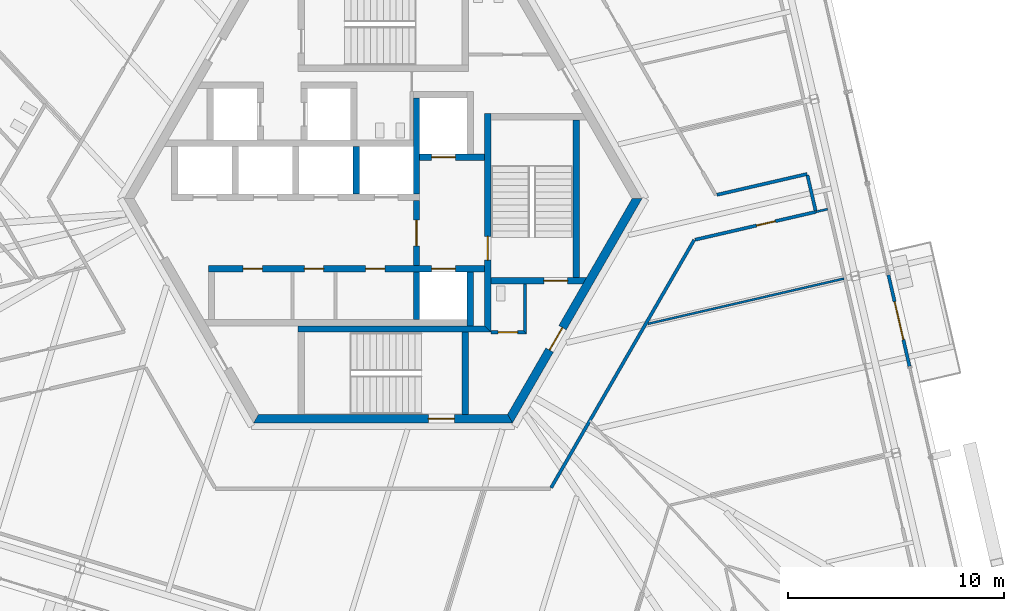
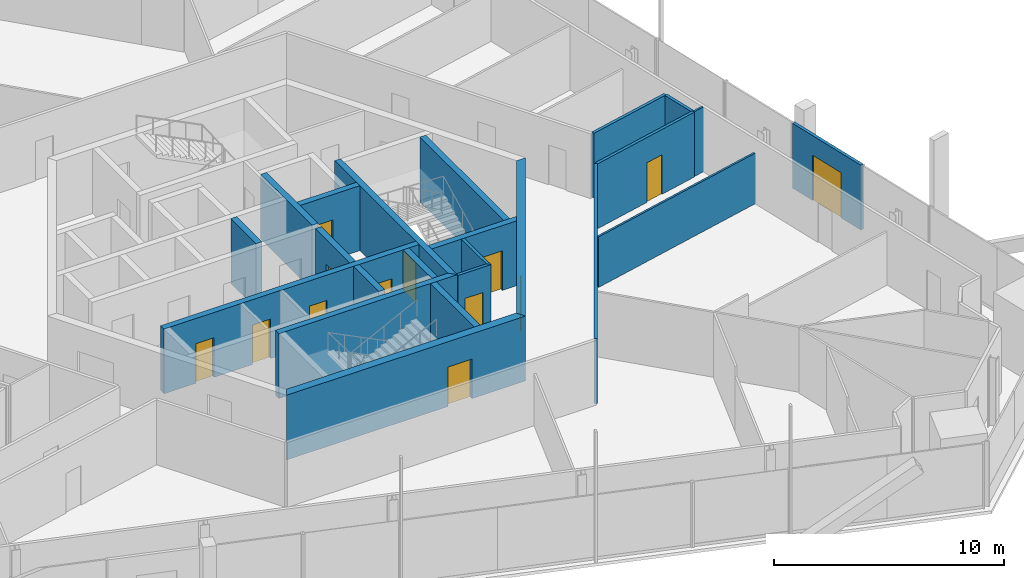
# One storey, part 14 of 24: 23 walls, 13 doors, 13 openings.
"""IFC4 building model written with IfcOpenShell, lengths in metres."""

from ifc_helpers import new_model, si_unit, direction, frame, frame_2d, origin, place, context, subcontext, project, spatial, polyline, rectangle, outline, extrude, source, transform, mapped, material, layer, layer_set, type_object, element, fill, save


model = new_model("IFC4")

# Units and contexts
model_context = context("Model", 3, precision=1e-05, world=origin(), true_north=direction((0.0, 1.0)))
body_context = subcontext(model_context, "Body", "Model", "MODEL_VIEW")
ifc_project = project(units=[si_unit("LENGTHUNIT", "METRE"), si_unit("AREAUNIT", "SQUARE_METRE"), si_unit("VOLUMEUNIT", "CUBIC_METRE"), si_unit("PLANEANGLEUNIT", "RADIAN"), si_unit("MASSUNIT", "GRAM", prefix="KILO")], contexts=[model_context])

# Site, building, storey
site_placement = place(None, origin())
site = spatial("IfcSite", under=ifc_project, at=site_placement, CompositionType="ELEMENT")
building_placement = place(site_placement, origin())
building = spatial("IfcBuilding", under=site, at=building_placement, Name="Triune Harvest Tower", CompositionType="ELEMENT")
storey_placement = place(building_placement, frame((0.0, 0.0, 127.10009765625)))
storey = spatial("IfcBuildingStorey", under=building, at=storey_placement, Name="L32", CompositionType="ELEMENT", Elevation=127.10009765625)

# Wall
ifc_material_1 = material(Name="Gypsum board on steel studs", Category="steel")
ifc_layer_1 = layer(ifc_material_1, 0.14990234375)
ifc_layer_set_1 = layer_set([ifc_layer_1], Name="Gypsum board on steel studs")
wall_type_1 = type_object("IfcWallType", Name="Fire Partition 150 mm", PredefinedType="PARTITIONING", material=ifc_layer_set_1)
wall_1_placement = place(storey_placement, frame((19.66552734375, 1.08447265625, 0.0), z_axis=(0.0, 0.0, 1.0), x_axis=(0.225092983946, -0.974337286867, 0.0)))
element("IfcWall", 1, at=wall_1_placement, inside=storey, type_object=wall_type_1, Name="Partition L32 006", PredefinedType="PARTITIONING", context=body_context, shape_type="SweptSolid", body=[
    extrude(rectangle(XDim=1.68017578125, YDim=0.14990234375, at=frame_2d((0.840087890625, 0.0))), origin(), (0.0, 0.0, 1.0), 3.43994140625),
])

# Wall, opening, door
wall_2_placement = place(storey_placement, frame((14.456298828125, -1.90380859375, 0.0), z_axis=(0.0, 0.0, 1.0), x_axis=(0.974371147551, 0.224946364317, 0.0)))
wall_2 = element("IfcWall", 2, at=wall_2_placement, inside=storey, type_object=wall_type_1, Name="Partition L32 040", PredefinedType="PARTITIONING", context=body_context, shape_type="SweptSolid", body=[
    extrude(rectangle(XDim=5.747802734375, YDim=0.14990234375, at=frame_2d((2.8740234375, 0.0))), origin(), (0.0, 0.0, 1.0), 3.43994140625),
])
opening_1_placement = place(wall_2_placement, frame((2.925048828125, 0.0, 0.0)))
opening_1 = element("IfcOpeningElement", 3, at=opening_1_placement, cuts=wall_2, Name="Opening L32-003", PredefinedType="OPENING", context=body_context, shape_type="SweptSolid", body=[
    extrude(rectangle(XDim=0.89990234375, YDim=2.10009765625, at=frame_2d((0.449951171875, 1.050048828125))), frame((0.0, 0.0849609375, 0.0), z_axis=(0.0, -1.0, 0.0), x_axis=(1.0, 0.0, 0.0)), (0.0, 0.0, 1.0), 0.169921875),
])
ifc_material_2 = material(Name="Timber and steel door set", Category="steel")
door_type_1 = type_object("IfcDoorType", Name="Single leaf door FD30 left hand 900 x 2100", OperationType="SINGLE_SWING_LEFT", PredefinedType="DOOR", material=ifc_material_2)
door_1_placement = place(opening_1_placement, origin())
door_1 = element("IfcDoor", 4, at=door_1_placement, inside=storey, type_object=door_type_1, Name="Door L32-003 Office 32.03", OperationType="SINGLE_SWING_LEFT", OverallHeight=2.10009765625, OverallWidth=0.89990234375, PredefinedType="DOOR", context=body_context, shape_type="SweptSolid", body=[
    extrude(rectangle(XDim=0.89990234375, YDim=2.10009765625, at=frame_2d((0.449951171875, 1.050048828125))), frame((0.0, 0.02490234375, 0.0), z_axis=(0.0, -1.0, 0.0), x_axis=(1.0, 0.0, 0.0)), (0.0, 0.0, 1.0), 0.050048828125),
])
fill(opening_1, door_1)

# Walls
wall_3_placement = place(storey_placement, frame((15.47412109375, 0.17822265625, 0.0), z_axis=(0.0, 0.0, 1.0), x_axis=(0.974368159762, 0.224959305745, 0.0)))
element("IfcWall", 5, at=wall_3_placement, inside=storey, type_object=wall_type_1, Name="Partition L32 043", PredefinedType="PARTITIONING", context=body_context, shape_type="SweptSolid", body=[
    extrude(rectangle(XDim=4.287841796875, YDim=0.14990234375, at=frame_2d((2.14404296875, 0.0))), origin(), (0.0, 0.0, 1.0), 3.43994140625),
])
wall_4_placement = place(storey_placement, frame((7.785888671875, -13.399169921875, 0.0), z_axis=(0.0, 0.0, 1.0), x_axis=(0.499991742513, 0.866030171195, 0.0)))
element("IfcWall", 6, at=wall_4_placement, inside=storey, type_object=wall_type_1, Name="Partition L32 062", PredefinedType="PARTITIONING", context=body_context, shape_type="SweptSolid", body=[
    extrude(rectangle(XDim=13.262939453125, YDim=0.14990234375, at=frame_2d((6.63134765625, 0.0))), origin(), (0.0, 0.0, 1.0), 3.43994140625),
])
ifc_material_3 = material(Name="Gypsum board on steel studs", Category="steel")
ifc_layer_2 = layer(ifc_material_3, 0.10009765625)
ifc_layer_set_2 = layer_set([ifc_layer_2], Name="Gypsum board on steel studs")
wall_type_2 = type_object("IfcWallType", Name="Partition 100 mm", PredefinedType="PARTITIONING", material=ifc_layer_set_2)
wall_5_placement = place(storey_placement, frame((12.273193359375, -5.80224609375, 0.0), z_axis=(0.0, 0.0, 1.0), x_axis=(0.974370442796, 0.224949416993, 0.0)))
element("IfcWall", 7, at=wall_5_placement, inside=storey, type_object=wall_type_2, Name="Partition L32 038", PredefinedType="PARTITIONING", context=body_context, shape_type="SweptSolid", body=[
    extrude(rectangle(XDim=9.320556640625, YDim=0.10009765625, at=frame_2d((4.66015625, 0.0))), origin(), (0.0, 0.0, 1.0), 2.682861328125),
])
wall_6_placement = place(storey_placement, frame((20.058349609375, -0.610595703125, 0.0), z_axis=(0.0, 0.0, 1.0), x_axis=(0.974361678183, 0.224987377622, 0.0)))
element("IfcWall", 8, at=wall_6_placement, inside=storey, type_object=wall_type_2, Name="Partition L32 041", PredefinedType="PARTITIONING", context=body_context, shape_type="SweptSolid", body=[
    extrude(rectangle(XDim=0.557861328125, YDim=0.10009765625, at=frame_2d((0.27880859375, 0.0))), origin(), (0.0, 0.0, 1.0), 3.43994140625),
])

# Wall, opening, door
ifc_material_4 = material(Name="Concrete 70 MPa", Category="concrete")
ifc_layer_3 = layer(ifc_material_4, 0.39990234375)
ifc_layer_set_3 = layer_set([ifc_layer_3], Name="Concrete 70 MPa")
wall_type_3 = type_object("IfcWallType", Name="Core wall 400", PredefinedType="SHEAR", material=ifc_layer_set_3)
shared_shape_1 = source(origin(), body_context, "Body", "SweptSolid", [
    extrude(outline(polyline([(-0.115478515625, -0.199951171875), (11.884521484375, -0.199951171875), (11.653564453125, 0.199951171875), (0.115478515625, 0.199951171875), (-0.115478515625, -0.199951171875)])), origin(), (0.0, 0.0, 1.0), 3.43994140625),
])
wall_7_placement = place(storey_placement, frame((-5.884521484375, -10.1923828125, 0.0), z_axis=(0.0, 0.0, 1.0), x_axis=(1.0, 0.0, 0.0)))
wall_7 = element("IfcWall", 9, at=wall_7_placement, inside=storey, type_object=wall_type_3, Name="Hexagon 4 wall", PredefinedType="SHEAR", context=body_context, shape_type="MappedRepresentation", body=[
    mapped(shared_shape_1, transform((0.0, 0.0, 0.0), scale=1.0)),
])
opening_2_placement = place(wall_7_placement, frame((7.984619140625, 0.0, 0.0)))
opening_2 = element("IfcOpeningElement", 10, at=opening_2_placement, cuts=wall_7, Name="Opening CD-S2P", PredefinedType="OPENING", context=body_context, shape_type="SweptSolid", body=[
    extrude(rectangle(XDim=1.199951171875, YDim=2.10009765625, at=frame_2d((0.60009765625, 1.050048828125))), frame((0.0, 0.2099609375, 0.0), z_axis=(0.0, -1.0, 0.0), x_axis=(1.0, 0.0, 0.0)), (0.0, 0.0, 1.0), 0.419921875),
])
ifc_material_5 = material(Name="Steel S235", Category="steel")
door_type_2 = type_object("IfcDoorType", Name="Stair door 1200 FD120", OperationType="SINGLE_SWING_LEFT", PredefinedType="DOOR", material=ifc_material_5)
door_2_placement = place(opening_2_placement, frame((1.199951171875, 0.0, 0.0), z_axis=(0.0, 0.0, 1.0), x_axis=(-1.0, 0.0, 0.0)))
door_2 = element("IfcDoor", 11, at=door_2_placement, inside=storey, type_object=door_type_2, Name="Door CD-S2P", OperationType="SINGLE_SWING_RIGHT", OverallHeight=2.10009765625, OverallWidth=1.199951171875, PredefinedType="DOOR", context=body_context, shape_type="SweptSolid", body=[
    extrude(rectangle(XDim=1.199951171875, YDim=2.10009765625, at=frame_2d((0.60009765625, 1.050048828125))), frame((0.0, 0.02490234375, 0.0), z_axis=(0.0, -1.0, 0.0), x_axis=(1.0, 0.0, 0.0)), (0.0, 0.0, 1.0), 0.050048828125),
])
fill(opening_2, door_2)

wall_8_placement = place(storey_placement, frame((5.884521484375, -10.1923828125, 0.0), z_axis=(0.0, 0.0, 1.0), x_axis=(0.499996592174, 0.866027371285, 0.0)))
wall_8 = element("IfcWall", 12, at=wall_8_placement, inside=storey, type_object=wall_type_3, Name="Hexagon 5 wall", PredefinedType="SHEAR", context=body_context, shape_type="MappedRepresentation", body=[
    mapped(shared_shape_1, transform((0.0, 0.0, 0.0), scale=1.0)),
])
opening_3_placement = place(wall_8_placement, frame((3.66455078125, 0.0, 0.0)))
opening_3 = element("IfcOpeningElement", 13, at=opening_3_placement, cuts=wall_8, Name="Opening CD-DP", PredefinedType="OPENING", context=body_context, shape_type="SweptSolid", body=[
    extrude(rectangle(XDim=1.199951171875, YDim=2.10009765625, at=frame_2d((0.60009765625, 1.050048828125))), frame((0.0, 0.2099609375, 0.0), z_axis=(0.0, -1.0, 0.0), x_axis=(1.0, 0.0, 0.0)), (0.0, 0.0, 1.0), 0.419921875),
])
door_3_placement = place(opening_3_placement, frame((1.199951171875, 0.0, 0.0), z_axis=(0.0, 0.0, 1.0), x_axis=(-1.0, 0.0, 0.0)))
door_3 = element("IfcDoor", 14, at=door_3_placement, inside=storey, type_object=door_type_2, Name="Door CD-DP", OperationType="SINGLE_SWING_RIGHT", OverallHeight=2.10009765625, OverallWidth=1.199951171875, PredefinedType="DOOR", context=body_context, shape_type="SweptSolid", body=[
    extrude(rectangle(XDim=1.199951171875, YDim=2.10009765625, at=frame_2d((0.60009765625, 1.050048828125))), frame((0.0, 0.02490234375, 0.0), z_axis=(0.0, -1.0, 0.0), x_axis=(1.0, 0.0, 0.0)), (0.0, 0.0, 1.0), 0.050048828125),
])
fill(opening_3, door_3)

# Walls
ifc_material_6 = material(Name="Concrete 70 MPa", Category="concrete")
ifc_layer_4 = layer(ifc_material_6, 0.300048828125)
ifc_layer_set_4 = layer_set([ifc_layer_4], Name="Concrete 70 MPa")
wall_type_4 = type_object("IfcWallType", Name="Core wall 300", PredefinedType="SHEAR", material=ifc_layer_set_4)
shared_shape_2 = source(origin(), body_context, "Body", "SweptSolid", [
    extrude(rectangle(XDim=2.5, YDim=0.300048828125, at=frame_2d((1.25, 0.0))), origin(), (0.0, 0.0, 1.0), 3.43994140625),
])
wall_9_placement = place(storey_placement, frame((4.050048828125, -5.889892578125, 0.0), z_axis=(0.0, 0.0, 1.0), x_axis=(0.0, 1.0, 0.0)))
element("IfcWall", 15, at=wall_9_placement, inside=storey, type_object=wall_type_4, Name="Ff2 east wall", PredefinedType="SHEAR", context=body_context, shape_type="MappedRepresentation", body=[
    mapped(shared_shape_2, transform((0.0, 0.0, 0.0), scale=1.0)),
])
shared_shape_3 = source(origin(), body_context, "Body", "SweptSolid", [
    extrude(rectangle(XDim=4.449951171875, YDim=0.300048828125, at=frame_2d((2.22509765625, 0.0))), origin(), (0.0, 0.0, 1.0), 3.43994140625),
])
wall_10_placement = place(storey_placement, frame((1.550048828125, 0.2099609375, 0.0), z_axis=(0.0, 0.0, 1.0), x_axis=(0.0, 1.0, 0.0)))
element("IfcWall", 16, at=wall_10_placement, inside=storey, type_object=wall_type_4, Name="Ff1 west wall", PredefinedType="SHEAR", context=body_context, shape_type="MappedRepresentation", body=[
    mapped(shared_shape_3, transform((0.0, 0.0, 0.0), scale=1.0)),
])

# Wall, opening, door
shared_shape_4 = source(origin(), body_context, "Body", "SweptSolid", [
    extrude(rectangle(XDim=3.0, YDim=0.300048828125, at=frame_2d((1.5, 0.0))), origin(), (0.0, 0.0, 1.0), 3.43994140625),
])
wall_11_placement = place(storey_placement, frame((1.699951171875, 1.909912109375, 0.0), z_axis=(0.0, 0.0, 1.0), x_axis=(1.0, 0.0, 0.0)))
wall_11 = element("IfcWall", 17, at=wall_11_placement, inside=storey, type_object=wall_type_4, Name="Ff1 front wall", PredefinedType="SHEAR", context=body_context, shape_type="MappedRepresentation", body=[
    mapped(shared_shape_4, transform((0.0, 0.0, 0.0), scale=1.0)),
])
opening_4_placement = place(wall_11_placement, frame((0.550048828125, 0.0, 0.0)))
opening_4 = element("IfcOpeningElement", 18, at=opening_4_placement, cuts=wall_11, Name="Opening LD-FF1-32", PredefinedType="OPENING", context=body_context, shape_type="SweptSolid", body=[
    extrude(rectangle(XDim=1.10009765625, YDim=2.10009765625, at=frame_2d((0.550048828125, 1.050048828125))), frame((0.0, 0.16015625, 0.0), z_axis=(0.0, -1.0, 0.0), x_axis=(1.0, 0.0, 0.0)), (0.0, 0.0, 1.0), 0.320068359375),
])
ifc_material_7 = material(Name="Stainless steel AISI 304", Category="steel")
door_type_3 = type_object("IfcDoorType", Name="Landing door 1100 x 2100", OperationType="DOUBLE_DOOR_SLIDING", PredefinedType="DOOR", material=ifc_material_7)
door_4_placement = place(opening_4_placement, origin())
door_4 = element("IfcDoor", 19, at=door_4_placement, inside=storey, type_object=door_type_3, Name="Door LD-FF1-32", OperationType="DOUBLE_DOOR_SLIDING", OverallHeight=2.10009765625, OverallWidth=1.10009765625, PredefinedType="DOOR", context=body_context, shape_type="SweptSolid", body=[
    extrude(rectangle(XDim=1.10009765625, YDim=2.10009765625, at=frame_2d((0.550048828125, 1.050048828125))), frame((0.0, 0.02490234375, 0.0), z_axis=(0.0, -1.0, 0.0), x_axis=(1.0, 0.0, 0.0)), (0.0, 0.0, 1.0), 0.050048828125),
])
fill(opening_4, door_4)

wall_12_placement = place(storey_placement, frame((1.550048828125, -3.090087890625, 0.0), z_axis=(0.0, 0.0, 1.0), x_axis=(0.0, 1.0, 0.0)))
wall_12 = element("IfcWall", 20, at=wall_12_placement, inside=storey, type_object=wall_type_4, Name="Ff lobby west wall", PredefinedType="SHEAR", context=body_context, shape_type="MappedRepresentation", body=[
    mapped(shared_shape_4, transform((0.0, 0.0, 0.0), scale=1.0)),
])
opening_5_placement = place(wall_12_placement, frame((0.89990234375, 0.0, 0.0)))
opening_5 = element("IfcOpeningElement", 21, at=opening_5_placement, cuts=wall_12, Name="Opening CD-FL", PredefinedType="OPENING", context=body_context, shape_type="SweptSolid", body=[
    extrude(rectangle(XDim=1.199951171875, YDim=2.10009765625, at=frame_2d((0.60009765625, 1.050048828125))), frame((0.0, 0.16015625, 0.0), z_axis=(0.0, -1.0, 0.0), x_axis=(1.0, 0.0, 0.0)), (0.0, 0.0, 1.0), 0.320068359375),
])
ifc_material_8 = material(Name="Steel S235", Category="steel")
door_type_4 = type_object("IfcDoorType", Name="Firefighters' lobby door 1200 FD120", OperationType="SINGLE_SWING_LEFT", PredefinedType="DOOR", material=ifc_material_8)
door_5_placement = place(opening_5_placement, frame((1.199951171875, 0.0, 0.0), z_axis=(0.0, 0.0, 1.0), x_axis=(-1.0, 0.0, 0.0)))
door_5 = element("IfcDoor", 22, at=door_5_placement, inside=storey, type_object=door_type_4, Name="Door CD-FL", OperationType="SINGLE_SWING_RIGHT", OverallHeight=2.10009765625, OverallWidth=1.199951171875, PredefinedType="DOOR", context=body_context, shape_type="SweptSolid", body=[
    extrude(rectangle(XDim=1.199951171875, YDim=2.10009765625, at=frame_2d((0.60009765625, 1.050048828125))), frame((0.0, 0.02490234375, 0.0), z_axis=(0.0, -1.0, 0.0), x_axis=(1.0, 0.0, 0.0)), (0.0, 0.0, 1.0), 0.050048828125),
])
fill(opening_5, door_5)

# Wall, openings, doors
shared_shape_5 = source(origin(), body_context, "Body", "SweptSolid", [
    extrude(rectangle(XDim=12.800048828125, YDim=0.300048828125, at=frame_2d((6.39990234375, 0.0))), origin(), (0.0, 0.0, 1.0), 3.43994140625),
])
wall_13_placement = place(storey_placement, frame((-8.10009765625, -3.239990234375, 0.0), z_axis=(0.0, 0.0, 1.0), x_axis=(1.0, 0.0, 0.0)))
wall_13 = element("IfcWall", 23, at=wall_13_placement, inside=storey, type_object=wall_type_4, Name="South front wall", PredefinedType="SHEAR", context=body_context, shape_type="MappedRepresentation", body=[
    mapped(shared_shape_5, transform((0.0, 0.0, 0.0), scale=1.0)),
])
opening_6_placement = place(wall_13_placement, frame((1.612548828125, 0.0, 0.0)))
opening_6 = element("IfcOpeningElement", 24, at=opening_6_placement, cuts=wall_13, Name="Opening CD-RS1", PredefinedType="OPENING", context=body_context, shape_type="SweptSolid", body=[
    extrude(rectangle(XDim=0.89990234375, YDim=2.10009765625, at=frame_2d((0.449951171875, 1.050048828125))), frame((0.0, 0.16015625, 0.0), z_axis=(0.0, -1.0, 0.0), x_axis=(1.0, 0.0, 0.0)), (0.0, 0.0, 1.0), 0.320068359375),
])
opening_7_placement = place(wall_13_placement, frame((4.449951171875, 0.0, 0.0)))
opening_7 = element("IfcOpeningElement", 25, at=opening_7_placement, cuts=wall_13, Name="Opening CD-RS2", PredefinedType="OPENING", context=body_context, shape_type="SweptSolid", body=[
    extrude(rectangle(XDim=0.89990234375, YDim=2.10009765625, at=frame_2d((0.449951171875, 1.050048828125))), frame((0.0, 0.16015625, 0.0), z_axis=(0.0, -1.0, 0.0), x_axis=(1.0, 0.0, 0.0)), (0.0, 0.0, 1.0), 0.320068359375),
])
opening_8_placement = place(wall_13_placement, frame((7.28759765625, 0.0, 0.0)))
opening_8 = element("IfcOpeningElement", 26, at=opening_8_placement, cuts=wall_13, Name="Opening CD-RS3", PredefinedType="OPENING", context=body_context, shape_type="SweptSolid", body=[
    extrude(rectangle(XDim=0.89990234375, YDim=2.10009765625, at=frame_2d((0.449951171875, 1.050048828125))), frame((0.0, 0.16015625, 0.0), z_axis=(0.0, -1.0, 0.0), x_axis=(1.0, 0.0, 0.0)), (0.0, 0.0, 1.0), 0.320068359375),
])
opening_9_placement = place(wall_13_placement, frame((10.35009765625, 0.0, 0.0)))
opening_9 = element("IfcOpeningElement", 27, at=opening_9_placement, cuts=wall_13, Name="Opening LD-FF2-32", PredefinedType="OPENING", context=body_context, shape_type="SweptSolid", body=[
    extrude(rectangle(XDim=1.10009765625, YDim=2.10009765625, at=frame_2d((0.550048828125, 1.050048828125))), frame((0.0, 0.16015625, 0.0), z_axis=(0.0, -1.0, 0.0), x_axis=(1.0, 0.0, 0.0)), (0.0, 0.0, 1.0), 0.320068359375),
])
door_6_placement = place(opening_9_placement, origin())
door_6 = element("IfcDoor", 28, at=door_6_placement, inside=storey, type_object=door_type_3, Name="Door LD-FF2-32", OperationType="DOUBLE_DOOR_SLIDING", OverallHeight=2.10009765625, OverallWidth=1.10009765625, PredefinedType="DOOR", context=body_context, shape_type="SweptSolid", body=[
    extrude(rectangle(XDim=1.10009765625, YDim=2.10009765625, at=frame_2d((0.550048828125, 1.050048828125))), frame((0.0, 0.02490234375, 0.0), z_axis=(0.0, -1.0, 0.0), x_axis=(1.0, 0.0, 0.0)), (0.0, 0.0, 1.0), 0.050048828125),
])
fill(opening_9, door_6)
ifc_material_9 = material(Name="Steel S235", Category="steel")
door_type_5 = type_object("IfcDoorType", Name="Riser door 900 FD120", OperationType="SINGLE_SWING_LEFT", PredefinedType="DOOR", material=ifc_material_9)
door_7_placement = place(opening_6_placement, origin())
door_7 = element("IfcDoor", 29, at=door_7_placement, inside=storey, type_object=door_type_5, Name="Door CD-RS1", OperationType="SINGLE_SWING_LEFT", OverallHeight=2.10009765625, OverallWidth=0.89990234375, PredefinedType="DOOR", context=body_context, shape_type="SweptSolid", body=[
    extrude(rectangle(XDim=0.89990234375, YDim=2.10009765625, at=frame_2d((0.449951171875, 1.050048828125))), frame((0.0, 0.02490234375, 0.0), z_axis=(0.0, -1.0, 0.0), x_axis=(1.0, 0.0, 0.0)), (0.0, 0.0, 1.0), 0.050048828125),
])
fill(opening_6, door_7)
door_8_placement = place(opening_7_placement, origin())
door_8 = element("IfcDoor", 30, at=door_8_placement, inside=storey, type_object=door_type_5, Name="Door CD-RS2", OperationType="SINGLE_SWING_LEFT", OverallHeight=2.10009765625, OverallWidth=0.89990234375, PredefinedType="DOOR", context=body_context, shape_type="SweptSolid", body=[
    extrude(rectangle(XDim=0.89990234375, YDim=2.10009765625, at=frame_2d((0.449951171875, 1.050048828125))), frame((0.0, 0.02490234375, 0.0), z_axis=(0.0, -1.0, 0.0), x_axis=(1.0, 0.0, 0.0)), (0.0, 0.0, 1.0), 0.050048828125),
])
fill(opening_7, door_8)
door_9_placement = place(opening_8_placement, origin())
door_9 = element("IfcDoor", 31, at=door_9_placement, inside=storey, type_object=door_type_5, Name="Door CD-RS3", OperationType="SINGLE_SWING_LEFT", OverallHeight=2.10009765625, OverallWidth=0.89990234375, PredefinedType="DOOR", context=body_context, shape_type="SweptSolid", body=[
    extrude(rectangle(XDim=0.89990234375, YDim=2.10009765625, at=frame_2d((0.449951171875, 1.050048828125))), frame((0.0, 0.02490234375, 0.0), z_axis=(0.0, -1.0, 0.0), x_axis=(1.0, 0.0, 0.0)), (0.0, 0.0, 1.0), 0.050048828125),
])
fill(opening_8, door_9)

# Walls
shared_shape_6 = source(origin(), body_context, "Body", "SweptSolid", [
    extrude(rectangle(XDim=2.2001953125, YDim=0.300048828125, at=frame_2d((1.10009765625, 0.0))), origin(), (0.0, 0.0, 1.0), 3.43994140625),
])
wall_14_placement = place(storey_placement, frame((1.550048828125, -5.590087890625, 0.0), z_axis=(0.0, 0.0, 1.0), x_axis=(0.0, 1.0, 0.0)))
element("IfcWall", 32, at=wall_14_placement, inside=storey, type_object=wall_type_4, Name="Ff2 west wall", PredefinedType="SHEAR", context=body_context, shape_type="MappedRepresentation", body=[
    mapped(shared_shape_6, transform((0.0, 0.0, 0.0), scale=1.0)),
])
shared_shape_7 = source(origin(), body_context, "Body", "SweptSolid", [
    extrude(rectangle(XDim=2.199951171875, YDim=0.300048828125, at=frame_2d((1.10009765625, 0.0))), origin(), (0.0, 0.0, 1.0), 3.43994140625),
])
wall_15_placement = place(storey_placement, frame((-1.25, 0.2099609375, 0.0), z_axis=(0.0, 0.0, 1.0), x_axis=(0.0, 1.0, 0.0)))
element("IfcWall", 33, at=wall_15_placement, inside=storey, type_object=wall_type_4, Name="North cross 3 wall", PredefinedType="SHEAR", context=body_context, shape_type="MappedRepresentation", body=[
    mapped(shared_shape_7, transform((0.0, 0.0, 0.0), scale=1.0)),
])

# Wall, opening, door
shared_shape_8 = source(origin(), body_context, "Body", "SweptSolid", [
    extrude(outline(polyline([(-0.14990234375, -0.14990234375), (9.989990234375, -0.14990234375), (9.989990234375, 0.14990234375), (0.14990234375, 0.14990234375), (-0.14990234375, -0.14990234375)])), origin(), (0.0, 0.0, 1.0), 3.43994140625),
])
wall_16_placement = place(storey_placement, frame((4.85009765625, -6.0400390625, 0.0), z_axis=(0.0, 0.0, 1.0), x_axis=(0.0, 1.0, 0.0)))
wall_16 = element("IfcWall", 34, at=wall_16_placement, inside=storey, type_object=wall_type_4, Name="Stair e west wall", PredefinedType="SHEAR", context=body_context, shape_type="MappedRepresentation", body=[
    mapped(shared_shape_8, transform((0.0, 0.0, 0.0), scale=1.0)),
])
opening_10_placement = place(wall_16_placement, frame((3.18994140625, 0.0, 0.0)))
opening_10 = element("IfcOpeningElement", 35, at=opening_10_placement, cuts=wall_16, Name="Opening CD-S3L", PredefinedType="OPENING", context=body_context, shape_type="SweptSolid", body=[
    extrude(rectangle(XDim=1.10009765625, YDim=2.10009765625, at=frame_2d((0.550048828125, 1.050048828125))), frame((0.0, 0.16015625, 0.0), z_axis=(0.0, -1.0, 0.0), x_axis=(1.0, 0.0, 0.0)), (0.0, 0.0, 1.0), 0.320068359375),
])
ifc_material_10 = material(Name="Steel S235", Category="steel")
door_type_6 = type_object("IfcDoorType", Name="Stair door 1100 FD120", OperationType="SINGLE_SWING_LEFT", PredefinedType="DOOR", material=ifc_material_10)
door_10_placement = place(opening_10_placement, frame((1.10009765625, 0.0, 0.0), z_axis=(0.0, 0.0, 1.0), x_axis=(-1.0, 0.0, 0.0)))
door_10 = element("IfcDoor", 36, at=door_10_placement, inside=storey, type_object=door_type_6, Name="Door CD-S3L", OperationType="SINGLE_SWING_RIGHT", OverallHeight=2.10009765625, OverallWidth=1.10009765625, PredefinedType="DOOR", context=body_context, shape_type="SweptSolid", body=[
    extrude(rectangle(XDim=1.10009765625, YDim=2.10009765625, at=frame_2d((0.550048828125, 1.050048828125))), frame((0.0, 0.02490234375, 0.0), z_axis=(0.0, -1.0, 0.0), x_axis=(1.0, 0.0, 0.0)), (0.0, 0.0, 1.0), 0.050048828125),
])
fill(opening_10, door_10)

shared_shape_9 = source(origin(), body_context, "Body", "SweptSolid", [
    extrude(outline(polyline([(0.0, -0.14990234375), (0.0, 0.14990234375), (4.43310546875, 0.14990234375), (4.260009765625, -0.14990234375), (0.0, -0.14990234375)])), origin(), (0.0, 0.0, 1.0), 3.43994140625),
])
wall_17_placement = place(storey_placement, frame((5.0, -3.800048828125, 0.0), z_axis=(0.0, 0.0, 1.0), x_axis=(1.0, 0.0, 0.0)))
wall_17 = element("IfcWall", 37, at=wall_17_placement, inside=storey, type_object=wall_type_4, Name="Stair e south wall", PredefinedType="SHEAR", context=body_context, shape_type="MappedRepresentation", body=[
    mapped(shared_shape_9, transform((0.0, 0.0, 0.0), scale=1.0)),
])
opening_11_placement = place(wall_17_placement, frame((2.449951171875, 0.0, 0.0)))
opening_11 = element("IfcOpeningElement", 38, at=opening_11_placement, cuts=wall_17, Name="Opening CD-S3D", PredefinedType="OPENING", context=body_context, shape_type="SweptSolid", body=[
    extrude(rectangle(XDim=1.10009765625, YDim=2.10009765625, at=frame_2d((0.550048828125, 1.050048828125))), frame((0.0, 0.16015625, 0.0), z_axis=(0.0, -1.0, 0.0), x_axis=(1.0, 0.0, 0.0)), (0.0, 0.0, 1.0), 0.320068359375),
])
door_11_placement = place(opening_11_placement, frame((1.10009765625, 0.0, 0.0), z_axis=(0.0, 0.0, 1.0), x_axis=(-1.0, 0.0, 0.0)))
door_11 = element("IfcDoor", 39, at=door_11_placement, inside=storey, type_object=door_type_6, Name="Door CD-S3D", OperationType="SINGLE_SWING_RIGHT", OverallHeight=2.10009765625, OverallWidth=1.10009765625, PredefinedType="DOOR", context=body_context, shape_type="SweptSolid", body=[
    extrude(rectangle(XDim=1.10009765625, YDim=2.10009765625, at=frame_2d((0.550048828125, 1.050048828125))), frame((0.0, 0.02490234375, 0.0), z_axis=(0.0, -1.0, 0.0), x_axis=(1.0, 0.0, 0.0)), (0.0, 0.0, 1.0), 0.050048828125),
])
fill(opening_11, door_11)

# Walls
shared_shape_10 = source(origin(), body_context, "Body", "SweptSolid", [
    extrude(rectangle(XDim=7.2998046875, YDim=0.300048828125, at=frame_2d((3.64990234375, 0.0))), origin(), (0.0, 0.0, 1.0), 3.43994140625),
])
wall_18_placement = place(storey_placement, frame((8.949951171875, -3.64990234375, 0.0), z_axis=(0.0, 0.0, 1.0), x_axis=(0.0, 1.0, 0.0)))
element("IfcWall", 40, at=wall_18_placement, inside=storey, type_object=wall_type_4, Name="Stair e east wall", PredefinedType="SHEAR", context=body_context, shape_type="MappedRepresentation", body=[
    mapped(shared_shape_10, transform((0.0, 0.0, 0.0), scale=1.0)),
])
shared_shape_11 = source(origin(), body_context, "Body", "SweptSolid", [
    extrude(outline(polyline([(0.0, -0.14990234375), (8.949951171875, -0.14990234375), (8.64990234375, 0.14990234375), (0.0, 0.14990234375), (0.0, -0.14990234375)])), origin(), (0.0, 0.0, 1.0), 3.43994140625),
])
wall_19_placement = place(storey_placement, frame((-3.949951171875, -6.0400390625, 0.0), z_axis=(0.0, 0.0, 1.0), x_axis=(1.0, 0.0, 0.0)))
element("IfcWall", 41, at=wall_19_placement, inside=storey, type_object=wall_type_4, Name="Stair s north wall", PredefinedType="SHEAR", context=body_context, shape_type="MappedRepresentation", body=[
    mapped(shared_shape_11, transform((0.0, 0.0, 0.0), scale=1.0)),
])
shared_shape_12 = source(origin(), body_context, "Body", "SweptSolid", [
    extrude(outline(polyline([(3.800048828125, -0.14990234375), (-0.00439453125, -0.14990234375), (-0.00439453125, 0.14990234375), (3.800048828125, 0.14990234375), (3.800048828125, -0.14990234375)])), origin(), (0.0, 0.0, 1.0), 3.43994140625),
])
wall_20_placement = place(storey_placement, frame((3.800048828125, -9.989990234375, 0.0), z_axis=(0.0, 0.0, 1.0), x_axis=(0.0, 1.0, 0.0)))
element("IfcWall", 42, at=wall_20_placement, inside=storey, type_object=wall_type_4, Name="Stair s east wall", PredefinedType="SHEAR", context=body_context, shape_type="MappedRepresentation", body=[
    mapped(shared_shape_12, transform((0.0, 0.0, 0.0), scale=1.0)),
])

# Wall, opening, door
ifc_material_11 = material(Name="Concrete masonry unit", Category="masonry")
ifc_layer_5 = layer(ifc_material_11, 0.14990234375)
ifc_layer_set_5 = layer_set([ifc_layer_5], Name="Concrete masonry unit")
wall_type_5 = type_object("IfcWallType", Name="Block partition 150 unrated", PredefinedType="PARTITIONING", material=ifc_layer_set_5)
shared_shape_13 = source(origin(), body_context, "Body", "SweptSolid", [
    extrude(outline(polyline([(0.0, -0.074951171875), (1.64990234375, -0.074951171875), (1.5, 0.074951171875), (0.0, 0.074951171875), (0.0, -0.074951171875)])), origin(), (0.0, 0.0, 1.0), 3.43994140625),
])
wall_21_placement = place(storey_placement, frame((5.0, -6.18994140625, 0.0), z_axis=(0.0, 0.0, 1.0), x_axis=(1.0, 0.0, 0.0)))
wall_21 = element("IfcWall", 43, at=wall_21_placement, inside=storey, type_object=wall_type_5, Name="Wc acc south wall", PredefinedType="PARTITIONING", context=body_context, shape_type="MappedRepresentation", body=[
    mapped(shared_shape_13, transform((0.0, 0.0, 0.0), scale=1.0)),
])
opening_12_placement = place(wall_21_placement, frame((0.33740234375, 0.0, 0.0)))
opening_12 = element("IfcOpeningElement", 44, at=opening_12_placement, cuts=wall_21, Name="Opening CD-WA", PredefinedType="OPENING", context=body_context, shape_type="SweptSolid", body=[
    extrude(rectangle(XDim=0.89990234375, YDim=2.10009765625, at=frame_2d((0.449951171875, 1.050048828125))), frame((0.0, 0.0849609375, 0.0), z_axis=(0.0, -1.0, 0.0), x_axis=(1.0, 0.0, 0.0)), (0.0, 0.0, 1.0), 0.169921875),
])
ifc_material_12 = material(Name="Timber C24", Category="wood")
door_type_7 = type_object("IfcDoorType", Name="WC door 900", OperationType="SINGLE_SWING_LEFT", PredefinedType="DOOR", material=ifc_material_12)
door_12_placement = place(opening_12_placement, origin())
door_12 = element("IfcDoor", 45, at=door_12_placement, inside=storey, type_object=door_type_7, Name="Door CD-WA", OperationType="SINGLE_SWING_LEFT", OverallHeight=2.10009765625, OverallWidth=0.89990234375, PredefinedType="DOOR", context=body_context, shape_type="SweptSolid", body=[
    extrude(rectangle(XDim=0.89990234375, YDim=2.10009765625, at=frame_2d((0.449951171875, 1.050048828125))), frame((0.0, 0.02490234375, 0.0), z_axis=(0.0, -1.0, 0.0), x_axis=(1.0, 0.0, 0.0)), (0.0, 0.0, 1.0), 0.050048828125),
])
fill(opening_12, door_12)

# Wall
shared_shape_14 = source(origin(), body_context, "Body", "SweptSolid", [
    extrude(outline(polyline([(-0.074951171875, -0.074951171875), (2.239990234375, -0.074951171875), (2.239990234375, 0.074951171875), (0.074951171875, 0.074951171875), (-0.074951171875, -0.074951171875)])), origin(), (0.0, 0.0, 1.0), 3.43994140625),
])
wall_22_placement = place(storey_placement, frame((6.574951171875, -6.18994140625, 0.0), z_axis=(0.0, 0.0, 1.0), x_axis=(0.0, 1.0, 0.0)))
element("IfcWall", 46, at=wall_22_placement, inside=storey, type_object=wall_type_5, Name="Wc acc east wall", PredefinedType="PARTITIONING", context=body_context, shape_type="MappedRepresentation", body=[
    mapped(shared_shape_14, transform((0.0, 0.0, 0.0), scale=1.0)),
])

# Wall, opening, door
ifc_material_13 = material(Name="Aluminium bronze anodised", Category="aluminium")
ifc_layer_6 = layer(ifc_material_13, 0.14990234375)
ifc_layer_set_6 = layer_set([ifc_layer_6], Name="Aluminium bronze anodised")
wall_type_6 = type_object("IfcWallType", Name="WW-2 balcony window wall", PredefinedType="ELEMENTEDWALL", material=ifc_layer_set_6)
shared_shape_15 = source(origin(), body_context, "Body", "SweptSolid", [
    extrude(rectangle(XDim=4.353271484375, YDim=0.14990234375, at=frame_2d((2.1767578125, 0.0))), origin(), (0.0, 0.0, 1.0), 3.43994140625),
])
wall_23_placement = place(storey_placement, frame((23.418212890625, -3.529296875, 0.0), z_axis=(0.0, 0.0, 1.0), x_axis=(0.224998762825, -0.974359049184, 0.0)))
wall_23 = element("IfcWall", 47, at=wall_23_placement, inside=storey, type_object=wall_type_6, Name="WW-2 B3-F1 L32.4", PredefinedType="ELEMENTEDWALL", context=body_context, shape_type="MappedRepresentation", body=[
    mapped(shared_shape_15, transform((0.0, 0.0, 0.0), scale=1.0)),
])
opening_13_placement = place(wall_23_placement, frame((1.276611328125, 0.0, 0.0)))
opening_13 = element("IfcOpeningElement", 48, at=opening_13_placement, cuts=wall_23, Name="Opening L32-E01", PredefinedType="OPENING", context=body_context, shape_type="SweptSolid", body=[
    extrude(rectangle(XDim=1.800048828125, YDim=2.39990234375, at=frame_2d((0.89990234375, 1.199951171875))), frame((0.0, 0.0849609375, 0.0), z_axis=(0.0, -1.0, 0.0), x_axis=(1.0, 0.0, 0.0)), (0.0, 0.0, 1.0), 0.169921875),
])
ifc_material_14 = material(Name="Glass", Category="glass")
door_type_8 = type_object("IfcDoorType", Name="DB-1 balcony door 1800 x 2400", OperationType="DOUBLE_DOOR_SINGLE_SWING", PredefinedType="DOOR", material=ifc_material_14)
door_13_placement = place(opening_13_placement, origin())
door_13 = element("IfcDoor", 49, at=door_13_placement, inside=storey, type_object=door_type_8, Name="Door L32-E01", OperationType="DOUBLE_DOOR_SINGLE_SWING", OverallHeight=2.39990234375, OverallWidth=1.800048828125, PredefinedType="DOOR", context=body_context, shape_type="SweptSolid", body=[
    extrude(rectangle(XDim=1.800048828125, YDim=2.39990234375, at=frame_2d((0.89990234375, 1.199951171875))), frame((0.0, 0.02490234375, 0.0), z_axis=(0.0, -1.0, 0.0), x_axis=(1.0, 0.0, 0.0)), (0.0, 0.0, 1.0), 0.050048828125),
])
fill(opening_13, door_13)

save(model, "model.ifc")
